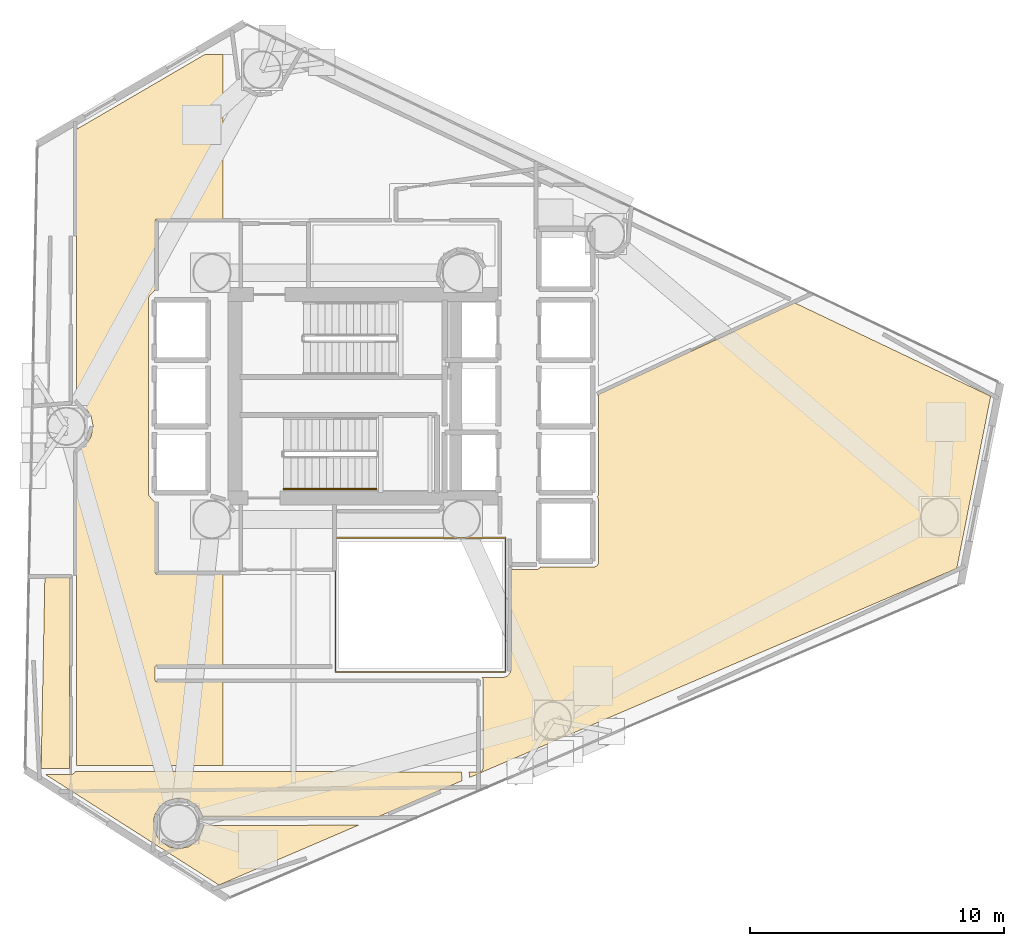
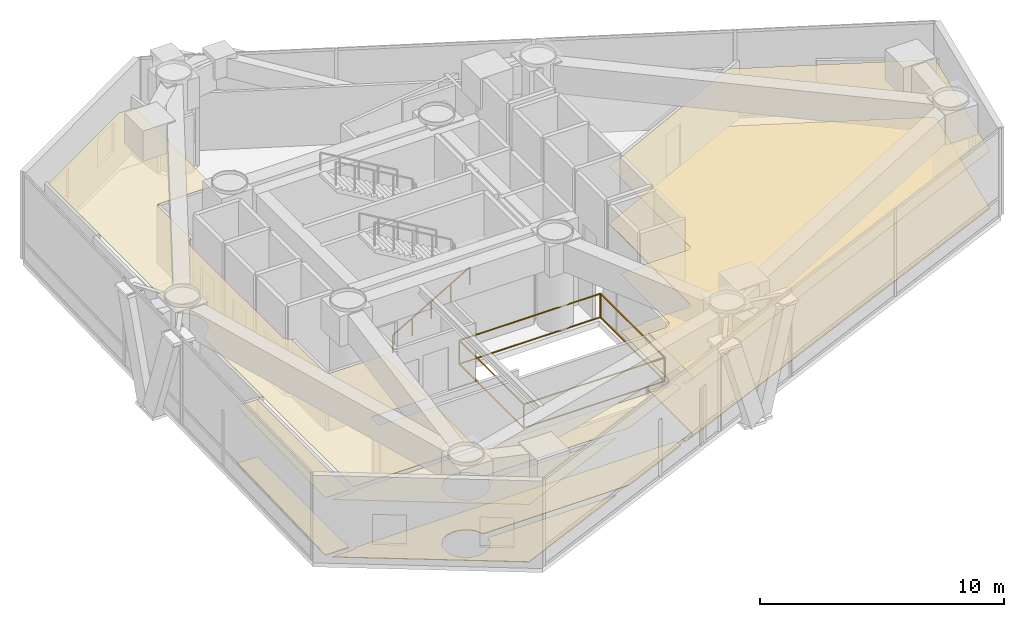
# One storey, part 21 of 22: 7 coverings, 2 railings.
"""IFC4 building model written with IfcOpenShell, lengths in metres."""

import ifcopenshell
import ifcopenshell.guid

model = None  # the IFC model being written
_history = None  # IfcOwnerHistory: only IFC2X3 demands one
_inside = {}  # id of a spatial element -> (the spatial element, [elements in it])
_under = {}  # id of a project, library or spatial element -> (it, [spatial elements below it])
_declared = {}  # id of a project -> (the project, [libraries it declares])
_typed = {}  # id of a type object -> (the type object, [elements of that type])
_made_of = {}  # id of a material, layer set ... -> (it, [elements and type objects made of it])


def new_model(schema):
    """Start an empty IFC model of exactly this schema.

    Asked for "IFC4X3", IfcOpenShell would pick the latest addendum, in which some entities
    have other attributes; the version numbers below select the first issue.
    IFC2X3 requires an IfcOwnerHistory on every rooted entity: one is made here for all.
    """
    global model, _history
    if schema == "IFC4X3":
        model = ifcopenshell.file(schema_version=(4, 3, 0, 0))
    else:
        model = ifcopenshell.file(schema=schema)
    _inside.clear()
    _under.clear()
    _declared.clear()
    _typed.clear()
    _made_of.clear()
    _history = None
    if model.schema == "IFC2X3":
        org = make("IfcOrganization", Name="unknown")
        user = make(
            "IfcPersonAndOrganization",
            ThePerson=make("IfcPerson", FamilyName="unknown"),
            TheOrganization=org,
        )
        app = make(
            "IfcApplication",
            ApplicationDeveloper=org,
            Version="unknown",
            ApplicationFullName="unknown",
            ApplicationIdentifier="unknown",
        )
        _history = make(
            "IfcOwnerHistory",
            OwningUser=user,
            OwningApplication=app,
            ChangeAction="ADDED",
            CreationDate=0,
        )
    return model


def make(cls, **values):
    """One entity of the class cls with the attributes given. An attribute that is None is left unset."""
    return model.create_entity(
        cls, **{name: value for name, value in values.items() if value is not None}
    )


def rooted(cls, **values):
    """An entity with a GlobalId (a new one), such as an element, a storey or a relation."""
    return make(cls, GlobalId=ifcopenshell.guid.new(), OwnerHistory=_history, **values)


def si_unit(unit_type, name, prefix=None):
    """IfcSIUnit, for example si_unit("LENGTHUNIT", "METRE", prefix="MILLI")."""
    return make("IfcSIUnit", UnitType=unit_type, Prefix=prefix, Name=name)


def assignment(units):
    """IfcUnitAssignment: the units of a project."""
    return None if units is None else make("IfcUnitAssignment", Units=units)


def point(xyz):
    """IfcCartesianPoint."""
    return None if xyz is None else make("IfcCartesianPoint", Coordinates=xyz)


def direction(xyz):
    """IfcDirection."""
    return None if xyz is None else make("IfcDirection", DirectionRatios=xyz)


def frame(location, z_axis=None, x_axis=None):
    """IfcAxis2Placement3D, a coordinate frame: its origin and axes. An axis left out is left unset."""
    return make(
        "IfcAxis2Placement3D",
        Location=point(location),
        Axis=direction(z_axis),
        RefDirection=direction(x_axis),
    )


def frame_2d(location, x_axis=None):
    """IfcAxis2Placement2D, a coordinate frame in the plane: its origin and x axis."""
    return make(
        "IfcAxis2Placement2D", Location=point(location), RefDirection=direction(x_axis)
    )


def origin():
    """The frame at (0, 0, 0) with its axes left unset."""
    return frame((0.0, 0.0, 0.0))


def origin_2d():
    """The frame at (0, 0) in the plane with its x axis left unset."""
    return frame_2d((0.0, 0.0))


def place(relative_to, where):
    """IfcLocalPlacement: puts the frame where relative to a parent placement (None: the world)."""
    return make(
        "IfcLocalPlacement", PlacementRelTo=relative_to, RelativePlacement=where
    )


def context(
    kind, dimensions, precision=None, world=None, true_north=None, identifier=None
):
    """IfcGeometricRepresentationContext, for example the 3D "Model" context."""
    return make(
        "IfcGeometricRepresentationContext",
        ContextIdentifier=identifier,
        ContextType=kind,
        CoordinateSpaceDimension=dimensions,
        Precision=precision,
        WorldCoordinateSystem=world,
        TrueNorth=true_north,
    )


def subcontext(parent, identifier, kind, view, scale=None):
    """IfcGeometricRepresentationSubContext, for example "Body" below "Model"."""
    return make(
        "IfcGeometricRepresentationSubContext",
        ContextIdentifier=identifier,
        ContextType=kind,
        ParentContext=parent,
        TargetScale=scale,
        TargetView=view,
    )


def project(units=None, contexts=None):
    """IfcProject with its units and contexts."""
    return rooted(
        "IfcProject",
        Name="project",
        RepresentationContexts=contexts,
        UnitsInContext=assignment(units),
    )


def spatial(cls, under=None, at=None, **own):
    """A site, building, storey or space (cls), placed at a placement, below another one or the project."""
    s = rooted(cls, ObjectPlacement=at, **own)
    if under is not None:
        _under.setdefault(under.id(), (under, []))[1].append(s)
    return s


def polyline(points):
    """IfcPolyline through the points."""
    return make("IfcPolyline", Points=[point(p) for p in points])


def profile(cls, at=None, kind="AREA", **sizes):
    """A parametric profile (cls). Its sizes go by their IFC names, for example OverallWidth=200.0."""
    return make(cls, ProfileType=kind, Position=at, **sizes)


def rectangle(**sizes):
    """IfcRectangleProfileDef."""
    return profile("IfcRectangleProfileDef", **sizes)


def outline(outer, holes=None, kind="AREA"):
    """IfcArbitraryClosedProfileDef: a profile drawn as a closed curve; with holes, ...WithVoids."""
    if holes is None:
        return make("IfcArbitraryClosedProfileDef", ProfileType=kind, OuterCurve=outer)
    return make(
        "IfcArbitraryProfileDefWithVoids",
        ProfileType=kind,
        OuterCurve=outer,
        InnerCurves=holes,
    )


def extrude(swept, where, along, depth):
    """IfcExtrudedAreaSolid: the profile swept, set in the frame where, extruded along a direction by depth."""
    return make(
        "IfcExtrudedAreaSolid",
        SweptArea=swept,
        Position=where,
        ExtrudedDirection=direction(along),
        Depth=depth,
    )


def shape(context_of_items, identifier, shape_type, items):
    """IfcShapeRepresentation: the items that make up one representation, for example the "Body"."""
    return make(
        "IfcShapeRepresentation",
        ContextOfItems=context_of_items,
        RepresentationIdentifier=identifier,
        RepresentationType=shape_type,
        Items=items,
    )


def material(Name=None, Category=None):
    """IfcMaterial."""
    return make("IfcMaterial", Name=Name, Category=Category)


def layer(
    of_material, thickness, ventilated=None, Name=None, Category=None, Priority=None
):
    """IfcMaterialLayer: one layer of a wall or slab, of a material (None: an air gap)."""
    return make(
        "IfcMaterialLayer",
        Material=of_material,
        LayerThickness=thickness,
        IsVentilated=ventilated,
        Name=Name,
        Category=Category,
        Priority=Priority,
    )


def layer_set(layers, Name=None):
    """IfcMaterialLayerSet."""
    return make("IfcMaterialLayerSet", MaterialLayers=layers, LayerSetName=Name)


def made_of(thing, what):
    """Note that an element or type object is made of a material, layer set ...; save() writes the relation."""
    if what is not None:
        _made_of.setdefault(what.id(), (what, []))[1].append(thing)
    return thing


def type_object(cls, material=None, **own):
    """A type object (cls), such as IfcWallType, which elements share."""
    return made_of(rooted(cls, **own), material)


def element(
    cls,
    number,
    at=None,
    inside=None,
    cuts=None,
    type_object=None,
    material=None,
    context=None,
    identifier="Body",
    shape_type=None,
    held_by="IfcProductDefinitionShape",
    body=None,
    shapes=None,
    **own,
):
    """One element of the class cls, such as IfcWall. Its Tag is "e" and its number.

    at: its placement. inside: the storey or other place that contains it. cuts: it is an
    opening in that element (IfcRelVoidsElement). A single representation is given by context,
    identifier, shape_type and body (its items); several are given by shapes. held_by: the class
    of the entity that holds the representations. save() writes the other relations.
    """
    e = rooted(cls, Tag="e%d" % number, ObjectPlacement=at, **own)
    if body is not None:
        shapes = [shape(context, identifier, shape_type, body)]
    if shapes is not None:
        e.Representation = make(held_by, Representations=shapes)
    if inside is not None:
        _inside.setdefault(inside.id(), (inside, []))[1].append(e)
    if cuts is not None:
        rooted(
            "IfcRelVoidsElement", RelatingBuildingElement=cuts, RelatedOpeningElement=e
        )
    if type_object is not None:
        _typed.setdefault(type_object.id(), (type_object, []))[1].append(e)
    return made_of(e, material)


def aggregate(whole, parts):
    """IfcRelAggregates: a whole, such as a stair, and the parts it consists of."""
    return rooted("IfcRelAggregates", RelatingObject=whole, RelatedObjects=parts)


def save(model, path):
    """Write the relations noted so far, then the file.

    IfcRelAggregates (storeys below a building ...), IfcRelContainedInSpatialStructure (elements
    in a storey), IfcRelDefinesByType, IfcRelAssociatesMaterial and IfcRelDeclares: one each for
    every whole, place, type object, material and project.
    """
    for whole, parts in _under.values():
        aggregate(whole, parts)
    for where, things in _inside.values():
        rooted(
            "IfcRelContainedInSpatialStructure",
            RelatedElements=things,
            RelatingStructure=where,
        )
    for kind, things in _typed.values():
        rooted("IfcRelDefinesByType", RelatedObjects=things, RelatingType=kind)
    for what, things in _made_of.values():
        rooted("IfcRelAssociatesMaterial", RelatedObjects=things, RelatingMaterial=what)
    for by, libraries in _declared.values():
        rooted("IfcRelDeclares", RelatingContext=by, RelatedDefinitions=libraries)
    model.write(path)


model = new_model("IFC4")

# Units and contexts
model_context = context("Model", 3, precision=1e-05, world=origin(), true_north=direction((0.0, 1.0)))
body_context = subcontext(model_context, "Body", "Model", "MODEL_VIEW")
ifc_project = project(units=[si_unit("LENGTHUNIT", "METRE"), si_unit("AREAUNIT", "SQUARE_METRE"), si_unit("VOLUMEUNIT", "CUBIC_METRE"), si_unit("PLANEANGLEUNIT", "RADIAN"), si_unit("MASSUNIT", "GRAM", prefix="KILO")], contexts=[model_context])

# Site, building, storey
site_placement = place(None, origin())
site = spatial("IfcSite", under=ifc_project, at=site_placement, CompositionType="ELEMENT")
building_placement = place(site_placement, origin())
building = spatial("IfcBuilding", under=site, at=building_placement, Name="Qianvela Tower", CompositionType="ELEMENT")
storey_placement = place(building_placement, frame((0.0, 0.0, 138.5)))
storey = spatial("IfcBuildingStorey", under=building, at=storey_placement, Name="L35", CompositionType="ELEMENT", Elevation=138.5)

# Coverings
ifc_material_1 = material(Name="Perforated Mineral Acoustic Ceiling Tile")
ifc_layer_1 = layer(ifc_material_1, 0.02490234375)
ifc_layer_set_1 = layer_set([ifc_layer_1], Name="Perforated Mineral Acoustic Ceiling Tile")
covering_type_1 = type_object("IfcCoveringType", Name="COV-CEIL-ACOUSTIC-25", PredefinedType="CEILING", material=ifc_layer_set_1)
covering_1_placement = place(storey_placement, frame((0.0, 0.0, 2.875)))
element("IfcCovering", 1, at=covering_1_placement, inside=storey, type_object=covering_type_1, Name="L35 Acoustic Ceiling L35 Fire Refuge Area South", PredefinedType="CEILING", context=body_context, shape_type="SweptSolid", body=[
    extrude(outline(polyline([(21.888671875, 14.080078125), (22.03515625, 21.570068359375), (23.0, 21.570068359375), (23.0, 14.080078125), (21.888671875, 14.080078125)])), origin(), (0.0, 0.0, 1.0), 0.02490234375),
])
covering_2_placement = place(storey_placement, frame((0.0, 0.0, 2.875)))
element("IfcCovering", 2, at=covering_2_placement, inside=storey, type_object=covering_type_1, Name="L35 Acoustic Ceiling Bay 1 L35 Mechanical Plant Corridor", PredefinedType="CEILING", context=body_context, shape_type="SweptSolid", body=[
    extrude(outline(polyline([(23.927490234375, 27.50830078125), (23.927978515625, 27.51611328125), (23.927490234375, 27.523681640625), (23.926513671875, 27.531494140625), (23.8525390625, 27.90283203125), (23.8505859375, 27.910400390625), (23.84814453125, 27.917724609375), (23.8447265625, 27.9248046875), (23.8408203125, 27.931640625), (23.63037109375, 28.246337890625), (23.625732421875, 28.252685546875), (23.62060546875, 28.258544921875), (23.614501953125, 28.263671875), (23.280029296875, 28.538330078125), (23.280029296875, 39.18701171875), (28.305908203125, 42.1201171875), (29.044677734375, 42.1201171875), (29.044677734375, 35.659912109375), (26.449951171875, 35.659912109375), (26.442138671875, 35.65966796875), (26.434326171875, 35.658447265625), (26.4267578125, 35.656494140625), (26.41943359375, 35.65380859375), (26.412353515625, 35.650634765625), (26.405517578125, 35.646484375), (26.399169921875, 35.641845703125), (26.393310546875, 35.63671875), (26.38818359375, 35.630859375), (26.383544921875, 35.62451171875), (26.37939453125, 35.61767578125), (26.376220703125, 35.610595703125), (26.373291015625, 35.603271484375), (26.37158203125, 35.595703125), (26.370361328125, 35.587890625), (26.3701171875, 35.580078125), (26.3701171875, 32.882568359375), (26.152587890625, 32.642578125), (26.1474609375, 32.636474609375), (26.143310546875, 32.6298828125), (26.139404296875, 32.623046875), (26.136474609375, 32.61572265625), (26.104736328125, 32.527099609375), (26.1025390625, 32.5205078125), (26.101318359375, 32.513671875), (26.100341796875, 32.5068359375), (26.10009765625, 32.5), (26.10009765625, 24.89990234375), (26.100341796875, 24.89306640625), (26.101318359375, 24.88623046875), (26.1025390625, 24.879638671875), (26.104736328125, 24.873046875), (26.136474609375, 24.7841796875), (26.139404296875, 24.777099609375), (26.143310546875, 24.77001953125), (26.1474609375, 24.763427734375), (26.152587890625, 24.757568359375), (26.3701171875, 24.517578125), (26.3701171875, 21.780029296875), (26.370361328125, 21.772216796875), (26.37158203125, 21.764404296875), (26.373291015625, 21.7568359375), (26.376220703125, 21.74951171875), (26.37939453125, 21.7421875), (26.383544921875, 21.735595703125), (26.38818359375, 21.729248046875), (26.393310546875, 21.723388671875), (26.399169921875, 21.71826171875), (26.405517578125, 21.71337890625), (26.412353515625, 21.70947265625), (26.41943359375, 21.7060546875), (26.4267578125, 21.703369140625), (26.434326171875, 21.701416015625), (26.442138671875, 21.700439453125), (26.449951171875, 21.699951171875), (29.044677734375, 21.699951171875), (29.044677734375, 18.1298828125), (26.449951171875, 18.1298828125), (26.442138671875, 18.129638671875), (26.434326171875, 18.12841796875), (26.4267578125, 18.126708984375), (26.41943359375, 18.123779296875), (26.412353515625, 18.12060546875), (26.405517578125, 18.116455078125), (26.399169921875, 18.11181640625), (26.393310546875, 18.106689453125), (26.38818359375, 18.100830078125), (26.383544921875, 18.094482421875), (26.37939453125, 18.087646484375), (26.376220703125, 18.08056640625), (26.373291015625, 18.0732421875), (26.37158203125, 18.065673828125), (26.370361328125, 18.057861328125), (26.3701171875, 18.050048828125), (26.3701171875, 17.550048828125), (26.370361328125, 17.542236328125), (26.37158203125, 17.534423828125), (26.373291015625, 17.52685546875), (26.376220703125, 17.519287109375), (26.37939453125, 17.51220703125), (26.383544921875, 17.505615234375), (26.38818359375, 17.499267578125), (26.393310546875, 17.493408203125), (26.399169921875, 17.48828125), (26.405517578125, 17.4833984375), (26.412353515625, 17.4794921875), (26.41943359375, 17.47607421875), (26.4267578125, 17.473388671875), (26.434326171875, 17.471435546875), (26.442138671875, 17.470458984375), (26.449951171875, 17.469970703125), (29.044677734375, 17.469970703125), (29.044677734375, 14.179931640625), (23.280029296875, 14.179931640625), (23.280029296875, 26.496337890625), (23.73876953125, 26.918212890625), (23.744873046875, 26.924560546875), (23.75048828125, 26.931640625), (23.755126953125, 26.939453125), (23.8447265625, 27.107177734375), (23.84814453125, 27.1142578125), (23.8505859375, 27.12158203125), (23.8525390625, 27.129150390625), (23.926513671875, 27.50048828125), (23.927490234375, 27.50830078125)])), origin(), (0.0, 0.0, 1.0), 0.02490234375),
])
covering_3_placement = place(storey_placement, frame((0.0, 0.0, 2.875)))
element("IfcCovering", 3, at=covering_3_placement, inside=storey, type_object=covering_type_1, Name="L35 Acoustic Ceiling L35 Fire Refuge Area 3", PredefinedType="CEILING", context=body_context, shape_type="SweptSolid", body=[
    extrude(outline(polyline([(39.187255859375, 13.969482421875), (39.1943359375, 13.972900390625), (39.200927734375, 13.976806640625), (39.207275390625, 13.981689453125), (39.213134765625, 13.98681640625), (39.218505859375, 13.99267578125), (39.22314453125, 13.9990234375), (39.22705078125, 14.005615234375), (39.23046875, 14.0126953125), (39.25390625, 14.0693359375), (39.256591796875, 14.076904296875), (39.258544921875, 14.08447265625), (39.259521484375, 14.09228515625), (39.260009765625, 14.10009765625), (39.258544921875, 17.565673828125), (39.258056640625, 17.573974609375), (39.256591796875, 17.582275390625), (39.254638671875, 17.59033203125), (39.251708984375, 17.597900390625), (39.247802734375, 17.60546875), (39.243408203125, 17.612548828125), (39.238037109375, 17.618896484375), (39.232177734375, 17.625), (39.214599609375, 17.640625), (40.027587890625, 17.641357421875), (40.03662109375, 17.641845703125), (40.045654296875, 17.643310546875), (40.054443359375, 17.64599609375), (40.1826171875, 17.69189453125), (40.189208984375, 17.694580078125), (40.195556640625, 17.697998046875), (40.20166015625, 17.701904296875), (40.207275390625, 17.706298828125), (40.212646484375, 17.711181640625), (40.21728515625, 17.71630859375), (40.320556640625, 17.842041015625), (40.3251953125, 17.848388671875), (40.3291015625, 17.85498046875), (40.33251953125, 17.8623046875), (40.335205078125, 17.86962890625), (40.337158203125, 17.877197265625), (40.3583984375, 17.984375), (40.359619140625, 17.9921875), (40.360107421875, 18.0), (40.360107421875, 21.889892578125), (41.367919921875, 21.890380859375), (41.375732421875, 21.890869140625), (41.383544921875, 21.891845703125), (41.39111328125, 21.893798828125), (41.3984375, 21.896484375), (41.405517578125, 21.89990234375), (41.45947265625, 21.9287109375), (41.46630859375, 21.932861328125), (41.472900390625, 21.9375), (41.478759765625, 21.943115234375), (41.48388671875, 21.948974609375), (41.48876953125, 21.955322265625), (41.492919921875, 21.96240234375), (41.49609375, 21.969482421875), (41.498779296875, 21.97705078125), (41.49951171875, 21.97998046875), (43.59375, 21.980712890625), (43.6015625, 21.981201171875), (43.609375, 21.982177734375), (43.616943359375, 21.984130859375), (43.624267578125, 21.98681640625), (43.699462890625, 22.017822265625), (43.70654296875, 22.021240234375), (43.71337890625, 22.025390625), (43.719482421875, 22.02978515625), (43.725341796875, 22.03515625), (43.730712890625, 22.041015625), (43.7353515625, 22.04736328125), (43.780517578125, 22.114990234375), (43.784423828125, 22.12158203125), (43.787841796875, 22.128662109375), (43.79052734375, 22.135986328125), (43.79248046875, 22.1435546875), (43.793701171875, 22.1513671875), (43.7939453125, 22.1591796875), (43.800048828125, 24.599853515625), (43.7998046875, 24.606689453125), (43.798828125, 24.613525390625), (43.79736328125, 24.620361328125), (43.79541015625, 24.626953125), (43.763427734375, 24.7158203125), (43.760498046875, 24.722900390625), (43.7568359375, 24.72998046875), (43.75244140625, 24.736572265625), (43.74755859375, 24.742431640625), (43.741943359375, 24.748046875), (43.73583984375, 24.753173828125), (43.730224609375, 24.7568359375), (43.74462890625, 24.765380859375), (43.75146484375, 24.77001953125), (43.7578125, 24.775146484375), (43.763427734375, 24.781005859375), (43.7685546875, 24.787353515625), (43.77294921875, 24.794189453125), (43.776611328125, 24.8017578125), (43.779541015625, 24.809326171875), (43.78173828125, 24.817138671875), (43.782958984375, 24.8251953125), (43.783447265625, 24.83349609375), (43.800048828125, 27.299560546875), (43.799560546875, 27.3076171875), (43.798583984375, 27.315673828125), (43.79638671875, 27.323486328125), (43.793701171875, 27.3310546875), (43.7646484375, 27.39990234375), (43.793701171875, 27.468994140625), (43.79638671875, 27.476318359375), (43.79833984375, 27.484130859375), (43.799560546875, 27.491943359375), (43.800048828125, 27.5), (43.800048828125, 28.772216796875), (51.506591796875, 32.36572265625), (59.201904296875, 28.69970703125), (57.869140625, 21.934326171875), (38.725341796875, 13.71630859375), (38.705810546875, 13.93994140625), (39.10009765625, 13.93994140625), (39.10791015625, 13.9404296875), (39.115478515625, 13.94140625), (39.123291015625, 13.943359375), (39.130615234375, 13.946044921875), (39.187255859375, 13.969482421875)])), origin(), (0.0, 0.0, 1.0), 0.02490234375),
])
covering_4_placement = place(storey_placement, frame((0.0, 0.0, 2.875)))
element("IfcCovering", 4, at=covering_4_placement, inside=storey, type_object=covering_type_1, Name="L35 Acoustic Ceiling L35 Hydronic Heat Exchanger and Fire Pump Room", PredefinedType="CEILING", context=body_context, shape_type="SweptSolid", body=[
    extrude(outline(polyline([(23.226806640625, 13.95068359375), (38.404541015625, 13.940185546875), (38.43505859375, 13.591552734375), (35.1640625, 12.1875), (28.23681640625, 12.170166015625), (28.12255859375, 12.4453125), (28.119140625, 12.452392578125), (28.114990234375, 12.458984375), (28.110595703125, 12.46533203125), (27.997314453125, 12.603271484375), (27.991943359375, 12.60888671875), (27.986083984375, 12.6142578125), (27.97998046875, 12.618896484375), (27.684814453125, 12.816162109375), (27.677978515625, 12.8203125), (27.6708984375, 12.823486328125), (27.66357421875, 12.826416015625), (27.65576171875, 12.828125), (27.3076171875, 12.8974609375), (27.2998046875, 12.898681640625), (27.2919921875, 12.89892578125), (27.2841796875, 12.898681640625), (27.2763671875, 12.8974609375), (26.92822265625, 12.828125), (26.92041015625, 12.826416015625), (26.9130859375, 12.823486328125), (26.906005859375, 12.8203125), (26.748779296875, 12.736083984375), (26.741943359375, 12.732177734375), (26.735595703125, 12.7275390625), (26.597900390625, 12.6142578125), (26.592041015625, 12.60888671875), (26.586669921875, 12.603271484375), (26.58203125, 12.596923828125), (26.384765625, 12.3017578125), (26.380615234375, 12.294921875), (26.37744140625, 12.287841796875), (26.374755859375, 12.280517578125), (26.322998046875, 12.10986328125), (26.321044921875, 12.10205078125), (26.31982421875, 12.094482421875), (26.319580078125, 12.08642578125), (26.319580078125, 11.7314453125), (26.31982421875, 11.7236328125), (26.321044921875, 11.7158203125), (26.322998046875, 11.708251953125), (26.32568359375, 11.700927734375), (26.46142578125, 11.372802734375), (26.46484375, 11.36572265625), (26.46875, 11.35888671875), (26.473388671875, 11.352783203125), (26.586669921875, 11.21484375), (26.592041015625, 11.208984375), (26.597900390625, 11.20361328125), (26.60400390625, 11.198974609375), (26.8994140625, 11.001708984375), (26.906005859375, 10.997802734375), (26.9130859375, 10.994384765625), (26.92041015625, 10.99169921875), (26.92822265625, 10.98974609375), (27.2763671875, 10.92041015625), (27.2841796875, 10.91943359375), (27.2919921875, 10.9189453125), (27.2998046875, 10.91943359375), (27.3076171875, 10.92041015625), (27.65576171875, 10.98974609375), (27.66357421875, 10.99169921875), (27.6708984375, 10.994384765625), (27.677978515625, 10.997802734375), (27.684814453125, 11.001708984375), (27.97998046875, 11.198974609375), (27.986083984375, 11.20361328125), (27.991943359375, 11.208984375), (27.997314453125, 11.21484375), (28.001953125, 11.22119140625), (28.19921875, 11.516357421875), (28.203369140625, 11.523193359375), (28.206787109375, 11.5302734375), (28.209228515625, 11.53759765625), (28.211181640625, 11.545166015625), (28.267578125, 11.830078125), (34.367431640625, 11.845458984375), (28.879150390625, 9.489501953125), (22.073486328125, 13.825927734375), (23.089111328125, 13.84033203125), (23.097412109375, 13.841064453125), (23.105712890625, 13.84228515625), (23.11376953125, 13.8447265625), (23.12158203125, 13.847900390625), (23.12890625, 13.851806640625), (23.1875, 13.886962890625), (23.194091796875, 13.89111328125), (23.19970703125, 13.89599609375), (23.205322265625, 13.901123046875), (23.210205078125, 13.906982421875), (23.21435546875, 13.913330078125), (23.218017578125, 13.919921875), (23.22119140625, 13.927001953125), (23.2236328125, 13.93408203125), (23.225341796875, 13.94140625), (23.226806640625, 13.95068359375)])), origin(), (0.0, 0.0, 1.0), 0.02490234375),
])
ifc_material_2 = material(Name="Honed Stone Terrazzo Flooring", Category="masonry")
ifc_layer_2 = layer(ifc_material_2, 0.030029296875)
ifc_layer_set_2 = layer_set([ifc_layer_2], Name="Honed Stone Terrazzo Flooring")
covering_type_2 = type_object("IfcCoveringType", Name="COV-FLOOR-TERRAZZO-30", PredefinedType="FLOORING", material=ifc_layer_set_2)
covering_5_placement = place(storey_placement, origin())
element("IfcCovering", 5, at=covering_5_placement, inside=storey, type_object=covering_type_2, Name="L35 Finish Flooring L35 Fire Refuge Area South", PredefinedType="FLOORING", context=body_context, shape_type="SweptSolid", body=[
    extrude(outline(polyline([(21.888671875, 14.080078125), (22.03515625, 21.570068359375), (23.0, 21.570068359375), (23.0, 14.080078125), (21.888671875, 14.080078125)])), origin(), (0.0, 0.0, 1.0), 0.030029296875),
])
covering_6_placement = place(storey_placement, origin())
element("IfcCovering", 6, at=covering_6_placement, inside=storey, type_object=covering_type_2, Name="L35 Finish Flooring L35 Fire Refuge Area 3", PredefinedType="FLOORING", context=body_context, shape_type="SweptSolid", body=[
    extrude(outline(polyline([(39.187255859375, 13.969482421875), (39.1943359375, 13.972900390625), (39.200927734375, 13.976806640625), (39.207275390625, 13.981689453125), (39.213134765625, 13.98681640625), (39.218505859375, 13.99267578125), (39.22314453125, 13.9990234375), (39.22705078125, 14.005615234375), (39.23046875, 14.0126953125), (39.25390625, 14.0693359375), (39.256591796875, 14.076904296875), (39.258544921875, 14.08447265625), (39.259521484375, 14.09228515625), (39.260009765625, 14.10009765625), (39.258544921875, 17.565673828125), (39.258056640625, 17.573974609375), (39.256591796875, 17.582275390625), (39.254638671875, 17.59033203125), (39.251708984375, 17.597900390625), (39.247802734375, 17.60546875), (39.243408203125, 17.612548828125), (39.238037109375, 17.618896484375), (39.232177734375, 17.625), (39.214599609375, 17.640625), (40.027587890625, 17.641357421875), (40.03662109375, 17.641845703125), (40.045654296875, 17.643310546875), (40.054443359375, 17.64599609375), (40.1826171875, 17.69189453125), (40.189208984375, 17.694580078125), (40.195556640625, 17.697998046875), (40.20166015625, 17.701904296875), (40.207275390625, 17.706298828125), (40.212646484375, 17.711181640625), (40.21728515625, 17.71630859375), (40.320556640625, 17.842041015625), (40.3251953125, 17.848388671875), (40.3291015625, 17.85498046875), (40.33251953125, 17.8623046875), (40.335205078125, 17.86962890625), (40.337158203125, 17.877197265625), (40.3583984375, 17.984375), (40.359619140625, 17.9921875), (40.360107421875, 18.0), (40.360107421875, 21.889892578125), (41.367919921875, 21.890380859375), (41.375732421875, 21.890869140625), (41.383544921875, 21.891845703125), (41.39111328125, 21.893798828125), (41.3984375, 21.896484375), (41.405517578125, 21.89990234375), (41.45947265625, 21.9287109375), (41.46630859375, 21.932861328125), (41.472900390625, 21.9375), (41.478759765625, 21.943115234375), (41.48388671875, 21.948974609375), (41.48876953125, 21.955322265625), (41.492919921875, 21.96240234375), (41.49609375, 21.969482421875), (41.498779296875, 21.97705078125), (41.49951171875, 21.97998046875), (43.59375, 21.980712890625), (43.6015625, 21.981201171875), (43.609375, 21.982177734375), (43.616943359375, 21.984130859375), (43.624267578125, 21.98681640625), (43.699462890625, 22.017822265625), (43.70654296875, 22.021240234375), (43.71337890625, 22.025390625), (43.719482421875, 22.02978515625), (43.725341796875, 22.03515625), (43.730712890625, 22.041015625), (43.7353515625, 22.04736328125), (43.780517578125, 22.114990234375), (43.784423828125, 22.12158203125), (43.787841796875, 22.128662109375), (43.79052734375, 22.135986328125), (43.79248046875, 22.1435546875), (43.793701171875, 22.1513671875), (43.7939453125, 22.1591796875), (43.800048828125, 24.599853515625), (43.7998046875, 24.606689453125), (43.798828125, 24.613525390625), (43.79736328125, 24.620361328125), (43.79541015625, 24.626953125), (43.763427734375, 24.7158203125), (43.760498046875, 24.722900390625), (43.7568359375, 24.72998046875), (43.75244140625, 24.736572265625), (43.74755859375, 24.742431640625), (43.741943359375, 24.748046875), (43.73583984375, 24.753173828125), (43.730224609375, 24.7568359375), (43.74462890625, 24.765380859375), (43.75146484375, 24.77001953125), (43.7578125, 24.775146484375), (43.763427734375, 24.781005859375), (43.7685546875, 24.787353515625), (43.77294921875, 24.794189453125), (43.776611328125, 24.8017578125), (43.779541015625, 24.809326171875), (43.78173828125, 24.817138671875), (43.782958984375, 24.8251953125), (43.783447265625, 24.83349609375), (43.800048828125, 27.299560546875), (43.799560546875, 27.3076171875), (43.798583984375, 27.315673828125), (43.79638671875, 27.323486328125), (43.793701171875, 27.3310546875), (43.7646484375, 27.39990234375), (43.793701171875, 27.468994140625), (43.79638671875, 27.476318359375), (43.79833984375, 27.484130859375), (43.799560546875, 27.491943359375), (43.800048828125, 27.5), (43.800048828125, 28.772216796875), (51.506591796875, 32.36572265625), (59.201904296875, 28.69970703125), (57.869140625, 21.934326171875), (38.725341796875, 13.71630859375), (38.705810546875, 13.93994140625), (39.10009765625, 13.93994140625), (39.10791015625, 13.9404296875), (39.115478515625, 13.94140625), (39.123291015625, 13.943359375), (39.130615234375, 13.946044921875), (39.187255859375, 13.969482421875)])), origin(), (0.0, 0.0, 1.0), 0.030029296875),
])
covering_7_placement = place(storey_placement, origin())
element("IfcCovering", 7, at=covering_7_placement, inside=storey, type_object=covering_type_2, Name="L35 Finish Flooring L35 Hydronic Heat Exchanger and Fire Pump Room", PredefinedType="FLOORING", context=body_context, shape_type="SweptSolid", body=[
    extrude(outline(polyline([(23.226806640625, 13.95068359375), (38.404541015625, 13.940185546875), (38.43505859375, 13.591552734375), (35.1640625, 12.1875), (28.23681640625, 12.170166015625), (28.12255859375, 12.4453125), (28.119140625, 12.452392578125), (28.114990234375, 12.458984375), (28.110595703125, 12.46533203125), (27.997314453125, 12.603271484375), (27.991943359375, 12.60888671875), (27.986083984375, 12.6142578125), (27.97998046875, 12.618896484375), (27.684814453125, 12.816162109375), (27.677978515625, 12.8203125), (27.6708984375, 12.823486328125), (27.66357421875, 12.826416015625), (27.65576171875, 12.828125), (27.3076171875, 12.8974609375), (27.2998046875, 12.898681640625), (27.2919921875, 12.89892578125), (27.2841796875, 12.898681640625), (27.2763671875, 12.8974609375), (26.92822265625, 12.828125), (26.92041015625, 12.826416015625), (26.9130859375, 12.823486328125), (26.906005859375, 12.8203125), (26.748779296875, 12.736083984375), (26.741943359375, 12.732177734375), (26.735595703125, 12.7275390625), (26.597900390625, 12.6142578125), (26.592041015625, 12.60888671875), (26.586669921875, 12.603271484375), (26.58203125, 12.596923828125), (26.384765625, 12.3017578125), (26.380615234375, 12.294921875), (26.37744140625, 12.287841796875), (26.374755859375, 12.280517578125), (26.322998046875, 12.10986328125), (26.321044921875, 12.10205078125), (26.31982421875, 12.094482421875), (26.319580078125, 12.08642578125), (26.319580078125, 11.7314453125), (26.31982421875, 11.7236328125), (26.321044921875, 11.7158203125), (26.322998046875, 11.708251953125), (26.32568359375, 11.700927734375), (26.46142578125, 11.372802734375), (26.46484375, 11.36572265625), (26.46875, 11.35888671875), (26.473388671875, 11.352783203125), (26.586669921875, 11.21484375), (26.592041015625, 11.208984375), (26.597900390625, 11.20361328125), (26.60400390625, 11.198974609375), (26.8994140625, 11.001708984375), (26.906005859375, 10.997802734375), (26.9130859375, 10.994384765625), (26.92041015625, 10.99169921875), (26.92822265625, 10.98974609375), (27.2763671875, 10.92041015625), (27.2841796875, 10.91943359375), (27.2919921875, 10.9189453125), (27.2998046875, 10.91943359375), (27.3076171875, 10.92041015625), (27.65576171875, 10.98974609375), (27.66357421875, 10.99169921875), (27.6708984375, 10.994384765625), (27.677978515625, 10.997802734375), (27.684814453125, 11.001708984375), (27.97998046875, 11.198974609375), (27.986083984375, 11.20361328125), (27.991943359375, 11.208984375), (27.997314453125, 11.21484375), (28.001953125, 11.22119140625), (28.19921875, 11.516357421875), (28.203369140625, 11.523193359375), (28.206787109375, 11.5302734375), (28.209228515625, 11.53759765625), (28.211181640625, 11.545166015625), (28.267578125, 11.830078125), (34.367431640625, 11.845458984375), (28.879150390625, 9.489501953125), (22.073486328125, 13.825927734375), (23.089111328125, 13.84033203125), (23.097412109375, 13.841064453125), (23.105712890625, 13.84228515625), (23.11376953125, 13.8447265625), (23.12158203125, 13.847900390625), (23.12890625, 13.851806640625), (23.1875, 13.886962890625), (23.194091796875, 13.89111328125), (23.19970703125, 13.89599609375), (23.205322265625, 13.901123046875), (23.210205078125, 13.906982421875), (23.21435546875, 13.913330078125), (23.218017578125, 13.919921875), (23.22119140625, 13.927001953125), (23.2236328125, 13.93408203125), (23.225341796875, 13.94140625), (23.226806640625, 13.95068359375)])), origin(), (0.0, 0.0, 1.0), 0.030029296875),
])

# Railings
ifc_material_3 = material(Name="Laminated Safety Glass and Stainless Steel 316", Category="steel")
railing_type_1 = type_object("IfcRailingType", Name="RL-ATRIUM-GUARD-1250", PredefinedType="GUARDRAIL", material=ifc_material_3)
railing_1_placement = place(storey_placement, frame((33.4599609375, 17.860107421875, 0.0)))
element("IfcRailing", 8, at=railing_1_placement, inside=storey, type_object=railing_type_1, Name="L35 Atrium Edge Guardrail 1", PredefinedType="GUARDRAIL", context=body_context, shape_type="SweptSolid", body=[
    extrude(rectangle(XDim=0.050048828125, YDim=0.0400390625, at=origin_2d()), frame((0.0, 0.0, 1.22998046875), z_axis=(0.0, 1.0, 0.0), x_axis=(-1.0, 0.0, 0.0)), (0.0, 0.0, 1.0), 5.27978515625),
    extrude(rectangle(XDim=0.050048828125, YDim=0.0400390625, at=origin_2d()), frame((0.0, 0.0, 0.050048828125), z_axis=(0.0, 1.0, 0.0), x_axis=(-1.0, 0.0, 0.0)), (0.0, 0.0, 1.0), 5.27978515625),
    extrude(rectangle(XDim=0.050048828125, YDim=0.0400390625, at=origin_2d()), frame((0.0, 5.27978515625, 1.22998046875), z_axis=(1.0, 0.0, 0.0), x_axis=(0.0, 1.0, 0.0)), (0.0, 0.0, 1.0), 6.679931640625),
    extrude(rectangle(XDim=0.050048828125, YDim=0.0400390625, at=origin_2d()), frame((0.0, 5.27978515625, 0.050048828125), z_axis=(1.0, 0.0, 0.0), x_axis=(0.0, 1.0, 0.0)), (0.0, 0.0, 1.0), 6.679931640625),
    extrude(rectangle(XDim=0.050048828125, YDim=0.0400390625, at=origin_2d()), frame((6.679931640625, 5.27978515625, 1.22998046875), z_axis=(0.0, -1.0, 0.0), x_axis=(1.0, 0.0, 0.0)), (0.0, 0.0, 1.0), 5.27978515625),
    extrude(rectangle(XDim=0.050048828125, YDim=0.0400390625, at=origin_2d()), frame((6.679931640625, 5.27978515625, 0.050048828125), z_axis=(0.0, -1.0, 0.0), x_axis=(1.0, 0.0, 0.0)), (0.0, 0.0, 1.0), 5.27978515625),
    extrude(rectangle(XDim=0.050048828125, YDim=0.0400390625, at=origin_2d()), frame((6.679931640625, 0.0, 1.22998046875), z_axis=(-1.0, 0.0, 0.0), x_axis=(0.0, -1.0, 0.0)), (0.0, 0.0, 1.0), 6.679931640625),
    extrude(rectangle(XDim=0.050048828125, YDim=0.0400390625, at=origin_2d()), frame((6.679931640625, 0.0, 0.050048828125), z_axis=(-1.0, 0.0, 0.0), x_axis=(0.0, -1.0, 0.0)), (0.0, 0.0, 1.0), 6.679931640625),
    extrude(rectangle(XDim=0.050048828125, YDim=0.050048828125, at=origin_2d()), origin(), (0.0, 0.0, 1.0), 1.2099609375),
    extrude(rectangle(XDim=0.050048828125, YDim=0.050048828125, at=origin_2d()), frame((0.0, 5.27978515625, 0.0)), (0.0, 0.0, 1.0), 1.2099609375),
    extrude(rectangle(XDim=0.050048828125, YDim=0.050048828125, at=origin_2d()), frame((6.679931640625, 5.27978515625, 0.0)), (0.0, 0.0, 1.0), 1.2099609375),
    extrude(rectangle(XDim=0.050048828125, YDim=0.050048828125, at=origin_2d()), frame((6.679931640625, 0.0, 0.0)), (0.0, 0.0, 1.0), 1.2099609375),
])
ifc_material_4 = material(Name="Brushed Stainless Steel 304", Category="steel")
railing_type_2 = type_object("IfcRailingType", Name="RL-STAIR-HANDRAIL-900", PredefinedType="HANDRAIL", material=ifc_material_4)
railing_2_placement = place(storey_placement, frame((31.419921875, 25.050048828125, 0.164306640625)))
element("IfcRailing", 9, at=railing_2_placement, inside=storey, type_object=railing_type_2, Name="L35 ST-2 stair handrail 1", PredefinedType="HANDRAIL", context=body_context, shape_type="SweptSolid", body=[
    extrude(rectangle(XDim=0.050048828125, YDim=0.0400390625, at=origin_2d()), frame((0.0, 0.0, 0.8798828125), z_axis=(0.862504707072, 0.0, 0.506049039401), x_axis=(0.0, 1.0, 0.0)), (0.0, 0.0, 1.0), 4.220458984375),
    extrude(rectangle(XDim=0.050048828125, YDim=0.050048828125, at=origin_2d()), origin(), (0.0, 0.0, 1.0), 0.85986328125),
    extrude(rectangle(XDim=0.050048828125, YDim=0.050048828125, at=origin_2d()), frame((0.91015625, 0.0, 0.533935546875)), (0.0, 0.0, 1.0), 0.85986328125),
    extrude(rectangle(XDim=0.050048828125, YDim=0.050048828125, at=origin_2d()), frame((1.820068359375, 0.0, 1.06787109375)), (0.0, 0.0, 1.0), 0.85986328125),
    extrude(rectangle(XDim=0.050048828125, YDim=0.050048828125, at=origin_2d()), frame((2.72998046875, 0.0, 1.601806640625)), (0.0, 0.0, 1.0), 0.85986328125),
    extrude(rectangle(XDim=0.050048828125, YDim=0.050048828125, at=origin_2d()), frame((3.64013671875, 0.0, 2.1357421875)), (0.0, 0.0, 1.0), 0.85986328125),
])

save(model, "model.ifc")
